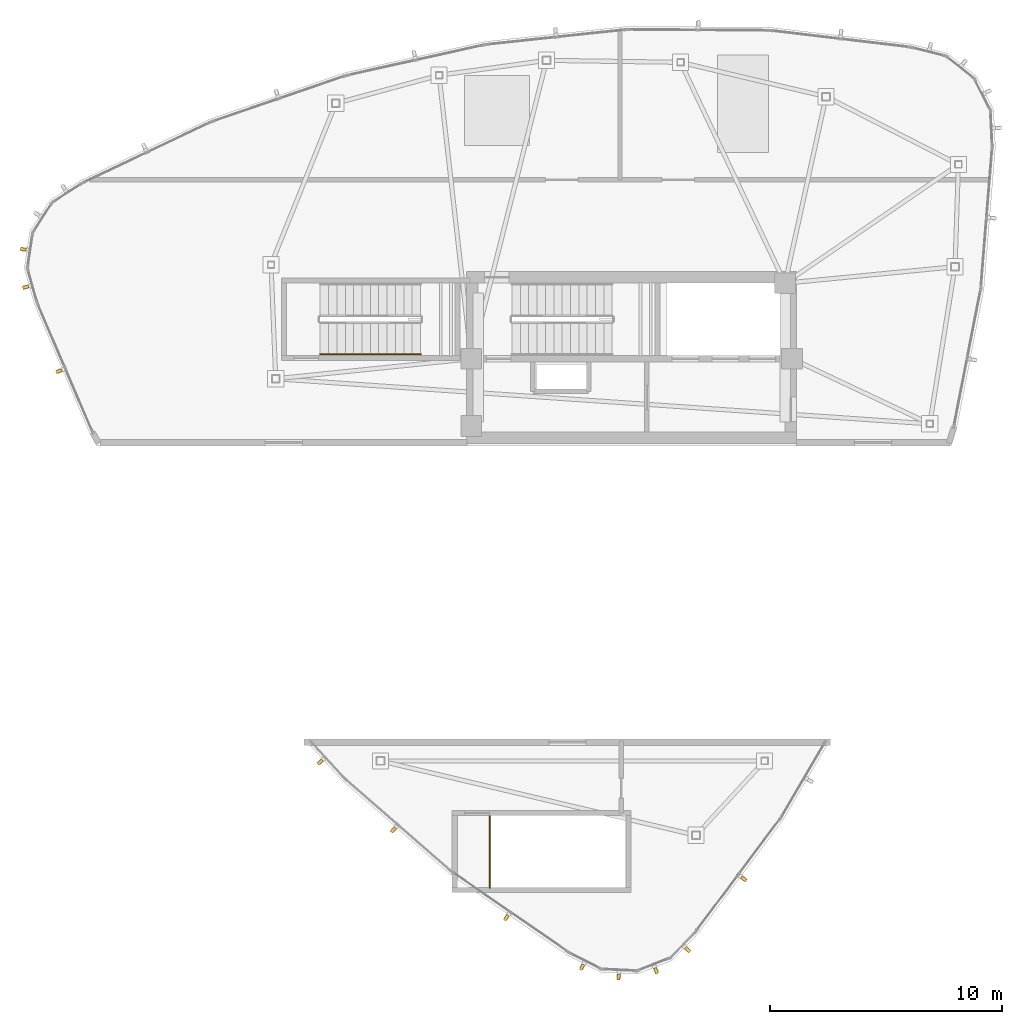
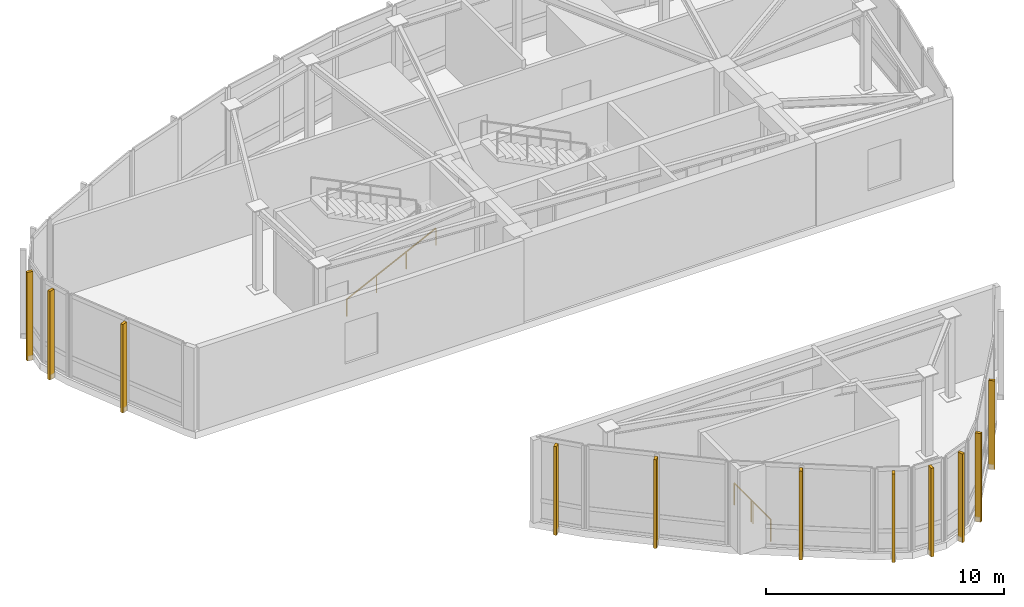
# One storey, part 12 of 15: 11 shading devices, 3 railings.
"""IFC4 building model written with IfcOpenShell, lengths in metres."""

from ifc_helpers import new_model, si_unit, direction, frame, origin, origin_2d, place, context, subcontext, project, spatial, rectangle, extrude, source, transform, mapped, material, type_object, type_shapes, element, save


model = new_model("IFC4")

# Units and contexts
model_context = context("Model", 3, precision=1e-05, world=origin(), true_north=direction((0.0, 1.0)))
body_context = subcontext(model_context, "Body", "Model", "MODEL_VIEW")
ifc_project = project(units=[si_unit("LENGTHUNIT", "METRE"), si_unit("AREAUNIT", "SQUARE_METRE"), si_unit("VOLUMEUNIT", "CUBIC_METRE"), si_unit("PLANEANGLEUNIT", "RADIAN"), si_unit("MASSUNIT", "GRAM", prefix="KILO")], contexts=[model_context])

# Site, building, storey
site_placement = place(None, origin())
site = spatial("IfcSite", under=ifc_project, at=site_placement, CompositionType="ELEMENT")
building_placement = place(site_placement, origin())
building = spatial("IfcBuilding", under=site, at=building_placement, Name="Tavelor Broadcast Tower", CompositionType="ELEMENT")
storey_placement = place(building_placement, frame((0.0, 0.0, 341.300048828125)))
storey = spatial("IfcBuildingStorey", under=building, at=storey_placement, Name="L81", CompositionType="ELEMENT", Elevation=341.300048828125)

# Railings
ifc_material_1 = material(Name="Steel S355", Category="steel")
railing_type_1 = type_object("IfcRailingType", Name="Continuous Brushed Stainless Handrail 900 mm", PredefinedType="HANDRAIL", material=ifc_material_1)
railing_1_placement = place(storey_placement, frame((36.60009765625, 48.14990234375, 0.1767578125)))
element("IfcRailing", 1, at=railing_1_placement, inside=storey, type_object=railing_type_1, Name="L81 ST5 stair handrail 1", PredefinedType="HANDRAIL", context=body_context, shape_type="SweptSolid", body=[
    extrude(rectangle(XDim=0.048095703125, YDim=0.048095703125, at=origin_2d()), frame((0.0, 0.0, 0.8759765625), z_axis=(0.897449715955, 0.0, 0.441116772898), x_axis=(0.0, 1.0, 0.0)), (0.0, 0.0, 1.0), 4.8134765625),
    extrude(rectangle(XDim=0.0419921875, YDim=0.0419921875, at=origin_2d()), origin(), (0.0, 0.0, 1.0), 0.851806640625),
    extrude(rectangle(XDim=0.0419921875, YDim=0.0419921875, at=origin_2d()), frame((1.43994140625, 0.0, 0.707763671875)), (0.0, 0.0, 1.0), 0.851806640625),
    extrude(rectangle(XDim=0.0419921875, YDim=0.0419921875, at=origin_2d()), frame((2.8798828125, 0.0, 1.41552734375)), (0.0, 0.0, 1.0), 0.851806640625),
    extrude(rectangle(XDim=0.0419921875, YDim=0.0419921875, at=origin_2d()), frame((4.31982421875, 0.0, 2.123291015625)), (0.0, 0.0, 1.0), 0.851806640625),
])
railing_type_2 = type_object("IfcRailingType", Name="Stairwell Steel Safety Guardrail 1150 mm", PredefinedType="GUARDRAIL", material=ifc_material_1)
railing_2_placement = place(storey_placement, frame((43.89990234375, 25.199951171875, 0.0)))
element("IfcRailing", 2, at=railing_2_placement, inside=storey, type_object=railing_type_2, Name="L81 ST6 top well guard 1", PredefinedType="GUARDRAIL", context=body_context, shape_type="SweptSolid", body=[
    extrude(rectangle(XDim=0.048095703125, YDim=0.048095703125, at=origin_2d()), frame((0.0, 0.0, 1.1259765625), z_axis=(0.0, 1.0, 0.0), x_axis=(-1.0, 0.0, 0.0)), (0.0, 0.0, 1.0), 1.650146484375),
    extrude(rectangle(XDim=0.0419921875, YDim=0.0419921875, at=origin_2d()), origin(), (0.0, 0.0, 1.0), 1.101806640625),
    extrude(rectangle(XDim=0.0419921875, YDim=0.0419921875, at=origin_2d()), frame((0.0, 1.650146484375, 0.0)), (0.0, 0.0, 1.0), 1.101806640625),
])
railing_3_placement = place(storey_placement, frame((43.89990234375, 26.699951171875, 0.0)))
element("IfcRailing", 3, at=railing_3_placement, inside=storey, type_object=railing_type_2, Name="L81 Stair ST6 Top Well Guardrail", PredefinedType="GUARDRAIL", context=body_context, shape_type="SweptSolid", body=[
    extrude(rectangle(XDim=0.048095703125, YDim=0.048095703125, at=origin_2d()), frame((0.0, 0.0, 1.1259765625), z_axis=(0.0, 1.0, 0.0), x_axis=(-1.0, 0.0, 0.0)), (0.0, 0.0, 1.0), 1.580078125),
    extrude(rectangle(XDim=0.0419921875, YDim=0.0419921875, at=origin_2d()), origin(), (0.0, 0.0, 1.0), 1.101806640625),
    extrude(rectangle(XDim=0.0419921875, YDim=0.0419921875, at=origin_2d()), frame((0.0, 1.580078125, 0.0)), (0.0, 0.0, 1.0), 1.101806640625),
])

# Shading devices
ifc_material_2 = material(Name="Kiln-Fired Glazed Terracotta", Category="masonry")
shading_device_type = type_object("IfcShadingDeviceType", Name="Extruded Terracotta Corner Baguette 130x260", PredefinedType="JALOUSIE", material=ifc_material_2)
shared_shape = source(origin(), body_context, "Body", "SweptSolid", [
    extrude(rectangle(XDim=0.1298828125, YDim=0.260009765625, at=origin_2d()), origin(), (0.0, 0.0, 1.0), 4.5400390625),
])
type_shapes(shading_device_type, [shared_shape])
for number, where, z_axis, x_axis, name in (
    (4, (23.826171875, 52.65771484375, -0.31005859375), (0.0, 0.0, 1.0), (-0.148672433897, -0.988886498745, 0.0), "L81 Terracotta Baguette Fin 811"),
    (5, (23.9287109375, 51.029052734375, -0.31005859375), (0.0, 0.0, 1.0), (0.271440449865, -0.962455236454, 0.0), "L81 Terracotta Baguette Fin 812"),
    (6, (25.3642578125, 47.4150390625, -0.31005859375), (0.0, 0.0, 1.0), (0.394262724343, -0.918997771593, 0.0), "L81 Terracotta Baguette Fin 813"),
    (7, (36.600830078125, 30.599853515625, -0.31005859375), (0.0, 0.0, 1.0), (0.675847524792, -0.737041466427, 0.0), "L81 Terracotta Baguette Fin 814"),
    (8, (39.7490234375, 27.677001953125, -0.31005859375), (0.0, 0.0, 1.0), (0.754136773416, -0.656717387452, 0.0), "L81 Terracotta Baguette Fin 815"),
    (9, (44.609619140625, 23.90185546875, -0.31005859375), (0.0, 0.0, 1.0), (0.82293810353, -0.568131039249, 0.0), "L81 Terracotta Baguette Fin 816"),
    (10, (47.868408203125, 21.7802734375, -0.31005859375), (0.0, 0.0, 1.0), (0.889814927768, -0.4563215909, 0.0), "L81 Terracotta Baguette Fin 817"),
    (11, (49.444580078125, 21.35791015625, -0.31005859375), (0.0, 0.0, 1.0), (0.998763127564, -0.049721373869, 0.0), "L81 Terracotta Baguette Fin 818"),
    (12, (51.05517578125, 21.62158203125, -0.31005859375), (0.0, 0.0, 1.0), (0.930737046321, 0.365689144775, 0.0), "L81 Terracotta Baguette Fin 819"),
    (13, (52.41455078125, 22.524658203125, -0.31005859375), (0.0, 0.0, 1.0), (0.697790459842, 0.716301943425, 0.0), "L81 Terracotta Baguette Fin 820"),
    (14, (54.826416015625, 25.574951171875, -0.31005859375), (0.0, 0.0, 1.0), (0.59874405405, 0.800940420843, 0.0), "L81 Terracotta Baguette Fin 821"),
):
    element("IfcShadingDevice", number, at=place(storey_placement, frame(where, z_axis=z_axis, x_axis=x_axis)), inside=storey, type_object=shading_device_type, Name=name, PredefinedType="JALOUSIE", context=body_context, shape_type="MappedRepresentation", body=[
        mapped(shared_shape, transform((0.0, 0.0, 0.0), scale=1.0)),
    ])

save(model, "model.ifc")
